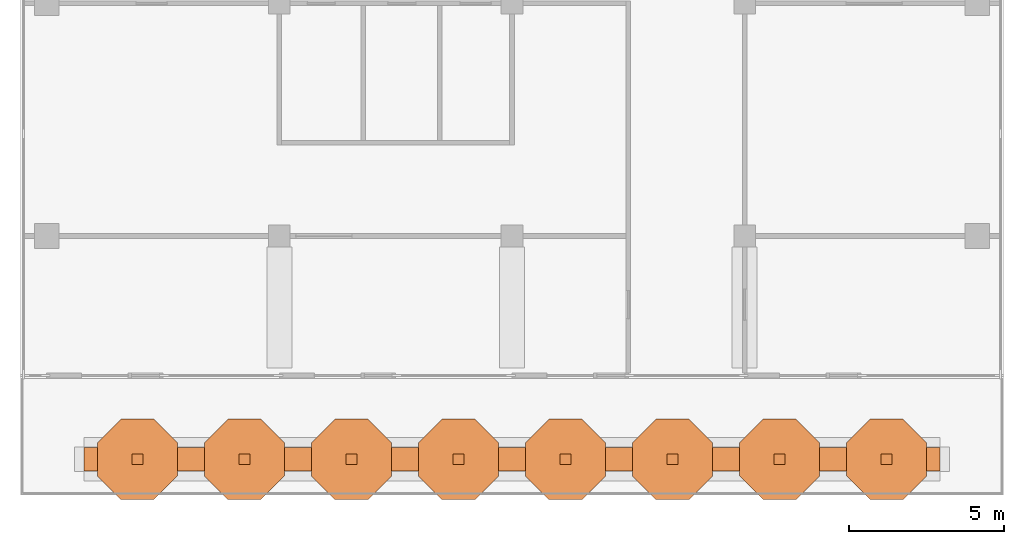
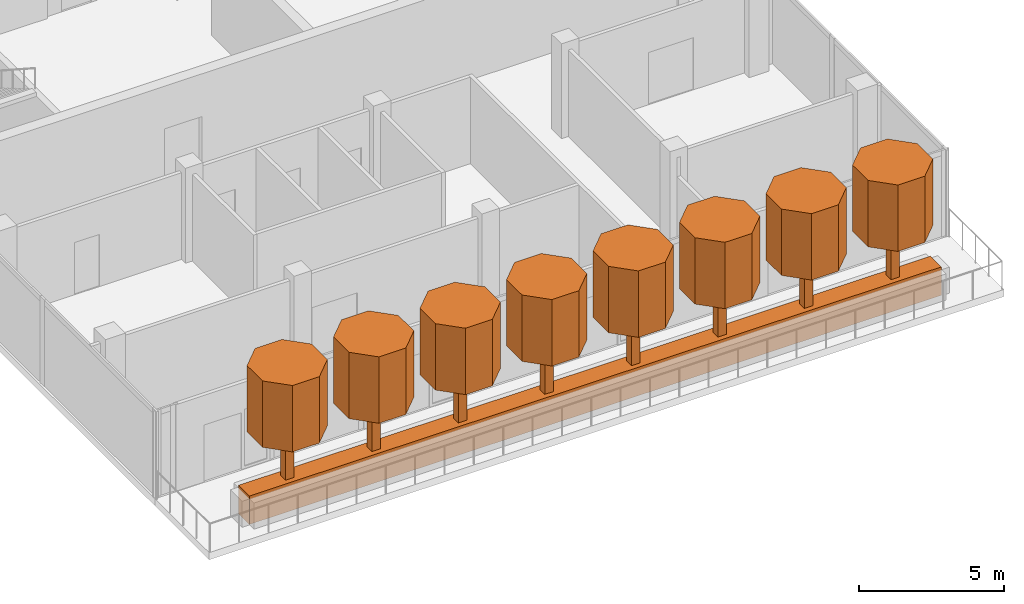
# One storey, part 6 of 6: 17 geographic elements.
"""IFC4 building model written with IfcOpenShell, lengths in metres."""

from ifc_helpers import new_model, si_unit, direction, frame, origin, origin_2d, place, context, subcontext, project, spatial, polyline, rectangle, outline, extrude, material, material_profile, profile_set, type_object, element, save


model = new_model("IFC4")

# Units and contexts
model_context = context("Model", 3, precision=1e-05, world=origin(), true_north=direction((0.0, 1.0)))
body_context = subcontext(model_context, "Body", "Model", "MODEL_VIEW")
ifc_project = project(units=[si_unit("LENGTHUNIT", "METRE"), si_unit("AREAUNIT", "SQUARE_METRE"), si_unit("VOLUMEUNIT", "CUBIC_METRE"), si_unit("PLANEANGLEUNIT", "RADIAN"), si_unit("MASSUNIT", "GRAM", prefix="KILO")], contexts=[model_context])

# Site, building, storey
site_placement = place(None, origin())
site = spatial("IfcSite", under=ifc_project, at=site_placement, CompositionType="ELEMENT")
building_placement = place(site_placement, origin())
building = spatial("IfcBuilding", under=site, at=building_placement, Name="Pilkhan Gate Tower", CompositionType="ELEMENT")
storey_placement = place(building_placement, frame((0.0, 0.0, 283.699951171875)))
storey = spatial("IfcBuildingStorey", under=building, at=storey_placement, Name="L74", CompositionType="ELEMENT", Elevation=283.699951171875)

# Geographic elements
ifc_material_1 = material(Name="Foliage")
ifc_material_profile_1 = material_profile(ifc_material_1, rectangle(XDim=0.75, YDim=1.199951171875, at=origin_2d()), Name="Bed 750x1200")
ifc_profile_set_1 = profile_set([ifc_material_profile_1], Name="Foliage")
geographic_element_type_1 = type_object("IfcGeographicElementType", Name="Planting bed PB1", PredefinedType="USERDEFINED", material=ifc_profile_set_1)
geographic_element_placement = place(storey_placement, frame((88.800048828125, 52.800048828125, 0.60009765625), z_axis=(-1.0, 0.0, 0.0), x_axis=(0.0, -1.0, 0.0)))
element("IfcGeographicElement", 1, at=geographic_element_placement, inside=storey, type_object=geographic_element_type_1, Name="Terrace L74 3 planting bed", ObjectType="PLANTING BED", PredefinedType="USERDEFINED", context=body_context, shape_type="SweptSolid", body=[
    extrude(rectangle(XDim=0.75, YDim=1.199951171875, at=origin_2d()), origin(), (0.0, 0.0, 1.0), 27.60009765625),
])
ifc_material_profile_2 = material_profile(ifc_material_1, outline(polyline([(1.29345703125, 0.535888671875), (0.535888671875, 1.29345703125), (-0.535888671875, 1.29345703125), (-1.29345703125, 0.535888671875), (-1.29345703125, -0.535888671875), (-0.535888671875, -1.29345703125), (0.535888671875, -1.29345703125), (1.29345703125, -0.535888671875), (1.29345703125, 0.535888671875)])), Name="Canopy D2.8")
ifc_profile_set_2 = profile_set([ifc_material_profile_2], Name="Foliage")
geographic_element_type_2 = type_object("IfcGeographicElementType", Name="Tree canopy TC14", PredefinedType="USERDEFINED", material=ifc_profile_set_2)
for number, where, z_axis, x_axis, name in (
    (2, (87.074951171875, 52.800048828125, 3.199951171875), (0.0, 0.0, 1.0), (1.0, 0.0, 0.0), "Tree L74 terrace 3.1 canopy"),
    (3, (83.625, 52.800048828125, 3.199951171875), (0.0, 0.0, 1.0), (1.0, 0.0, 0.0), "Tree L74 terrace 3.2 canopy"),
    (4, (80.175048828125, 52.800048828125, 3.199951171875), (0.0, 0.0, 1.0), (1.0, 0.0, 0.0), "Tree L74 terrace 3.3 canopy"),
    (5, (76.72509765625, 52.800048828125, 3.199951171875), (0.0, 0.0, 1.0), (1.0, 0.0, 0.0), "Tree L74 terrace 3.4 canopy"),
    (6, (73.27490234375, 52.800048828125, 3.199951171875), (0.0, 0.0, 1.0), (1.0, 0.0, 0.0), "Tree L74 terrace 3.5 canopy"),
    (7, (69.824951171875, 52.800048828125, 3.199951171875), (0.0, 0.0, 1.0), (1.0, 0.0, 0.0), "Tree L74 terrace 3.6 canopy"),
    (8, (66.375, 52.800048828125, 3.199951171875), (0.0, 0.0, 1.0), (1.0, 0.0, 0.0), "Tree L74 terrace 3.7 canopy"),
    (9, (62.925048828125, 52.800048828125, 3.199951171875), (0.0, 0.0, 1.0), (1.0, 0.0, 0.0), "Tree L74 terrace 3.8 canopy"),
):
    element("IfcGeographicElement", number, at=place(storey_placement, frame(where, z_axis=z_axis, x_axis=x_axis)), inside=storey, type_object=geographic_element_type_2, Name=name, ObjectType="TREE", PredefinedType="USERDEFINED", context=body_context, shape_type="SweptSolid", body=[
        extrude(outline(polyline([(1.29345703125, 0.535888671875), (0.535888671875, 1.29345703125), (-0.535888671875, 1.29345703125), (-1.29345703125, 0.535888671875), (-1.29345703125, -0.535888671875), (-0.535888671875, -1.29345703125), (0.535888671875, -1.29345703125), (1.29345703125, -0.535888671875), (1.29345703125, 0.535888671875)])), origin(), (0.0, 0.0, 1.0), 2.800048828125),
    ])
ifc_material_2 = material(Name="Timber trunk", Category="wood")
geographic_element_type_3 = type_object("IfcGeographicElementType", Name="Tree trunk TT1", PredefinedType="USERDEFINED", material=ifc_material_2)
for number, where, z_axis, x_axis, name in (
    (10, (87.074951171875, 52.800048828125, 1.199951171875), (0.0, 0.0, 1.0), (1.0, 0.0, 0.0), "Tree L74 terrace 3.1 trunk"),
    (11, (83.625, 52.800048828125, 1.199951171875), (0.0, 0.0, 1.0), (1.0, 0.0, 0.0), "Tree L74 terrace 3.2 trunk"),
    (12, (80.175048828125, 52.800048828125, 1.199951171875), (0.0, 0.0, 1.0), (1.0, 0.0, 0.0), "Tree L74 terrace 3.3 trunk"),
    (13, (76.72509765625, 52.800048828125, 1.199951171875), (0.0, 0.0, 1.0), (1.0, 0.0, 0.0), "Tree L74 terrace 3.4 trunk"),
    (14, (73.27490234375, 52.800048828125, 1.199951171875), (0.0, 0.0, 1.0), (1.0, 0.0, 0.0), "Tree L74 terrace 3.5 trunk"),
    (15, (69.824951171875, 52.800048828125, 1.199951171875), (0.0, 0.0, 1.0), (1.0, 0.0, 0.0), "Tree L74 terrace 3.6 trunk"),
    (16, (66.375, 52.800048828125, 1.199951171875), (0.0, 0.0, 1.0), (1.0, 0.0, 0.0), "Tree L74 terrace 3.7 trunk"),
    (17, (62.925048828125, 52.800048828125, 1.199951171875), (0.0, 0.0, 1.0), (1.0, 0.0, 0.0), "Tree L74 terrace 3.8 trunk"),
):
    element("IfcGeographicElement", number, at=place(storey_placement, frame(where, z_axis=z_axis, x_axis=x_axis)), inside=storey, type_object=geographic_element_type_3, Name=name, ObjectType="TREE", PredefinedType="USERDEFINED", context=body_context, shape_type="SweptSolid", body=[
        extrude(rectangle(XDim=0.35009765625, YDim=0.35009765625, at=origin_2d()), origin(), (0.0, 0.0, 1.0), 2.0),
    ])

save(model, "model.ifc")
